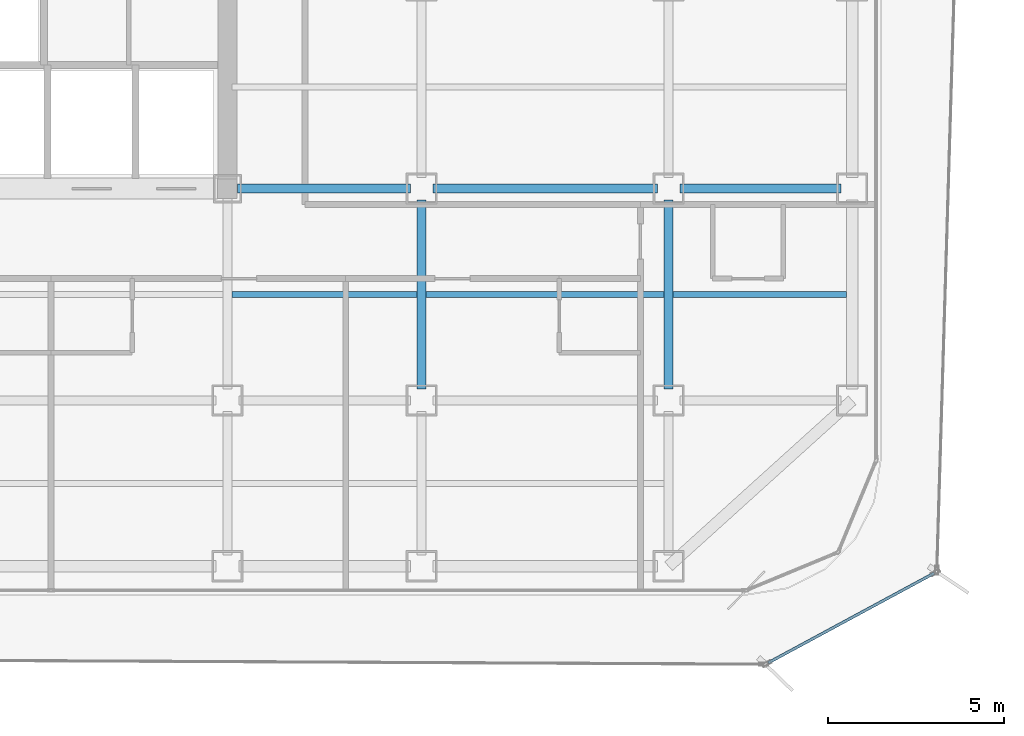
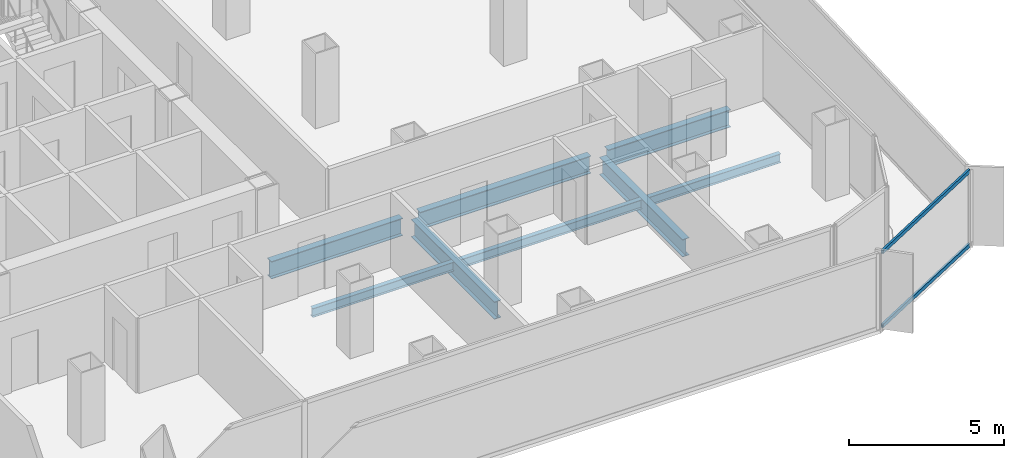
# One storey, part 7 of 21: 8 beams, 2 members, 1 element without a shape of its own.
"""IFC4 building model written with IfcOpenShell, lengths in metres."""

from ifc_helpers import new_model, si_unit, direction, frame, origin, origin_2d, place, context, subcontext, project, spatial, hollow_rectangle, i_section, extrude, source, transform, mapped, material, layer, layer_set, material_profile, profile_set, type_object, element, aggregate, save


model = new_model("IFC4")

# Units and contexts
model_context = context("Model", 3, precision=1e-05, world=origin(), true_north=direction((0.0, 1.0)))
body_context = subcontext(model_context, "Body", "Model", "MODEL_VIEW")
ifc_project = project(units=[si_unit("LENGTHUNIT", "METRE"), si_unit("AREAUNIT", "SQUARE_METRE"), si_unit("VOLUMEUNIT", "CUBIC_METRE"), si_unit("PLANEANGLEUNIT", "RADIAN"), si_unit("MASSUNIT", "GRAM", prefix="KILO")], contexts=[model_context])

# Site, building, storey
site_placement = place(None, origin())
site = spatial("IfcSite", under=ifc_project, at=site_placement, CompositionType="ELEMENT")
building_placement = place(site_placement, origin())
building = spatial("IfcBuilding", under=site, at=building_placement, Name="Kolveth Station Tower", CompositionType="ELEMENT")
storey_placement = place(building_placement, frame((0.0, 0.0, 92.699951171875)))
storey = spatial("IfcBuildingStorey", under=building, at=storey_placement, Name="L24", CompositionType="ELEMENT", Elevation=92.699951171875)

# Beams
ifc_material_1 = material(Name="Steel S355", Category="steel")
ifc_material_profile_1 = material_profile(ifc_material_1, i_section(OverallWidth=0.25390625, OverallDepth=0.68798828125, WebThickness=0.01318359375, FlangeThickness=0.02099609375, at=origin_2d()), Name="W690x152")
ifc_profile_set_1 = profile_set([ifc_material_profile_1], Name="Steel S355")
beam_type_1 = type_object("IfcBeamType", Name="Beam_B4", PredefinedType="BEAM", material=ifc_profile_set_1)
shared_shape_1 = source(origin(), body_context, "Body", "SweptSolid", [
    extrude(i_section(OverallWidth=0.25390625, OverallDepth=0.68798828125, WebThickness=0.01318359375, FlangeThickness=0.02099609375, at=origin_2d()), origin(), (0.0, 0.0, 1.0), 4.559814453125),
])
beam_1_placement = place(storey_placement, frame((41.320068359375, 11.5, -0.593994140625), z_axis=(1.0, 0.0, 0.0), x_axis=(0.0, 1.0, 0.0)))
element("IfcBeam", 1, at=beam_1_placement, inside=storey, type_object=beam_type_1, Name="L24 Primary Girder BM-L24-GY115-7", PredefinedType="BEAM", context=body_context, shape_type="MappedRepresentation", body=[
    mapped(shared_shape_1, transform((0.0, 0.0, 0.0), x_axis=(1.0, 0.0, 0.0), y_axis=(0.0, 1.0, 0.0), z_axis=(0.0, 0.0, 1.0), scale=1.0)),
])
shared_shape_2 = source(origin(), body_context, "Body", "SweptSolid", [
    extrude(i_section(OverallWidth=0.25390625, OverallDepth=0.68798828125, WebThickness=0.01318359375, FlangeThickness=0.02099609375, at=origin_2d()), origin(), (0.0, 0.0, 1.0), 6.35986328125),
])
beam_2_placement = place(storey_placement, frame((34.320068359375, 11.5, -0.593994140625), z_axis=(1.0, 0.0, 0.0), x_axis=(0.0, 1.0, 0.0)))
element("IfcBeam", 2, at=beam_2_placement, inside=storey, type_object=beam_type_1, Name="L24 Primary Girder BM-L24-GY115-6", PredefinedType="BEAM", context=body_context, shape_type="MappedRepresentation", body=[
    mapped(shared_shape_2, transform((0.0, 0.0, 0.0), x_axis=(1.0, 0.0, 0.0), y_axis=(0.0, 1.0, 0.0), z_axis=(0.0, 0.0, 1.0), scale=1.0)),
])
shared_shape_3 = source(origin(), body_context, "Body", "SweptSolid", [
    extrude(i_section(OverallWidth=0.25390625, OverallDepth=0.68798828125, WebThickness=0.01318359375, FlangeThickness=0.02099609375, at=origin_2d()), origin(), (0.0, 0.0, 1.0), 4.89990234375),
])
beam_3_placement = place(storey_placement, frame((28.780029296875, 11.5, -0.593994140625), z_axis=(1.0, 0.0, 0.0), x_axis=(0.0, 1.0, 0.0)))
element("IfcBeam", 3, at=beam_3_placement, inside=storey, type_object=beam_type_1, Name="L24 Primary Girder BM-L24-GY115-5", PredefinedType="BEAM", context=body_context, shape_type="MappedRepresentation", body=[
    mapped(shared_shape_3, transform((0.0, 0.0, 0.0), x_axis=(1.0, 0.0, 0.0), y_axis=(0.0, 1.0, 0.0), z_axis=(0.0, 0.0, 1.0), scale=1.0)),
])
shared_shape_4 = source(origin(), body_context, "Body", "SweptSolid", [
    extrude(i_section(OverallWidth=0.25390625, OverallDepth=0.68798828125, WebThickness=0.01318359375, FlangeThickness=0.02099609375, at=origin_2d()), origin(), (0.0, 0.0, 1.0), 5.35986328125),
])
for number, where, z_axis, x_axis, name in (
    (4, (34.0, 5.820068359375, -0.593994140625), (0.0, 1.0, 0.0), (-1.0, 0.0, 0.0), "L24 Primary Girder BM-L24-GX340-2"),
    (5, (41.0, 5.820068359375, -0.593994140625), (0.0, 1.0, 0.0), (-1.0, 0.0, 0.0), "L24 Primary Girder BM-L24-GX410-2"),
):
    element("IfcBeam", number, at=place(storey_placement, frame(where, z_axis=z_axis, x_axis=x_axis)), inside=storey, type_object=beam_type_1, Name=name, PredefinedType="BEAM", context=body_context, shape_type="MappedRepresentation", body=[
        mapped(shared_shape_4, transform((0.0, 0.0, 0.0), x_axis=(1.0, 0.0, 0.0), y_axis=(0.0, 1.0, 0.0), z_axis=(0.0, 0.0, 1.0), scale=1.0)),
    ])
ifc_material_profile_2 = material_profile(ifc_material_1, i_section(OverallWidth=0.1708984375, OverallDepth=0.35205078125, WebThickness=0.0068359375, FlangeThickness=0.009765625, at=origin_2d()), Name="W360x44")
ifc_profile_set_2 = profile_set([ifc_material_profile_2], Name="Steel S355")
beam_type_2 = type_object("IfcBeamType", Name="Beam_J2", PredefinedType="JOIST", material=ifc_profile_set_2)
shared_shape_5 = source(origin(), body_context, "Body", "SweptSolid", [
    extrude(i_section(OverallWidth=0.1708984375, OverallDepth=0.35205078125, WebThickness=0.0068359375, FlangeThickness=0.009765625, at=origin_2d()), origin(), (0.0, 0.0, 1.0), 4.9150390625),
])
beam_4_placement = place(storey_placement, frame((41.125, 8.5, -0.426025390625), z_axis=(1.0, 0.0, 0.0), x_axis=(0.0, 1.0, 0.0)))
element("IfcBeam", 6, at=beam_4_placement, inside=storey, type_object=beam_type_2, Name="L24 Secondary Joist JST-L24-7-2", PredefinedType="JOIST", context=body_context, shape_type="MappedRepresentation", body=[
    mapped(shared_shape_5, transform((0.0, 0.0, 0.0), x_axis=(1.0, 0.0, 0.0), y_axis=(0.0, 1.0, 0.0), z_axis=(0.0, 0.0, 1.0), scale=1.0)),
])
shared_shape_6 = source(origin(), body_context, "Body", "SweptSolid", [
    extrude(i_section(OverallWidth=0.1708984375, OverallDepth=0.35205078125, WebThickness=0.0068359375, FlangeThickness=0.009765625, at=origin_2d()), origin(), (0.0, 0.0, 1.0), 6.75),
])
beam_5_placement = place(storey_placement, frame((34.125, 8.5, -0.426025390625), z_axis=(1.0, 0.0, 0.0), x_axis=(0.0, 1.0, 0.0)))
element("IfcBeam", 7, at=beam_5_placement, inside=storey, type_object=beam_type_2, Name="L24 Secondary Joist JST-L24-6-2", PredefinedType="JOIST", context=body_context, shape_type="MappedRepresentation", body=[
    mapped(shared_shape_6, transform((0.0, 0.0, 0.0), x_axis=(1.0, 0.0, 0.0), y_axis=(0.0, 1.0, 0.0), z_axis=(0.0, 0.0, 1.0), scale=1.0)),
])
shared_shape_7 = source(origin(), body_context, "Body", "SweptSolid", [
    extrude(i_section(OverallWidth=0.1708984375, OverallDepth=0.35205078125, WebThickness=0.0068359375, FlangeThickness=0.009765625, at=origin_2d()), origin(), (0.0, 0.0, 1.0), 5.25),
])
beam_6_placement = place(storey_placement, frame((28.625, 8.5, -0.426025390625), z_axis=(1.0, 0.0, 0.0), x_axis=(0.0, 1.0, 0.0)))
element("IfcBeam", 8, at=beam_6_placement, inside=storey, type_object=beam_type_2, Name="L24 Secondary Joist JST-L24-5-2", PredefinedType="JOIST", context=body_context, shape_type="MappedRepresentation", body=[
    mapped(shared_shape_7, transform((0.0, 0.0, 0.0), x_axis=(1.0, 0.0, 0.0), y_axis=(0.0, 1.0, 0.0), z_axis=(0.0, 0.0, 1.0), scale=1.0)),
])

# Curtain wall, members
ifc_material_2 = material(Name="Black anodized aluminium 6063-T6 and dark solar glass", Category="aluminium")
ifc_layer = layer(ifc_material_2, 0.159912109375)
ifc_layer_set = layer_set([ifc_layer], Name="Black anodized aluminium 6063-T6 and dark solar glass")
curtain_wall_type = type_object("IfcCurtainWallType", Name="OUTER SKIN CW-OS", PredefinedType="NOTDEFINED", material=ifc_layer_set)
curtain_wall_placement = place(storey_placement, origin())
curtain_wall = element("IfcCurtainWall", 9, at=curtain_wall_placement, inside=storey, type_object=curtain_wall_type, Name="L24 Outer Ventilated Skin Curtain Wall 1", PredefinedType="NOTDEFINED")
ifc_material_3 = material(Name="Black anodized aluminium 6063-T6", Category="aluminium")
ifc_material_profile_3 = material_profile(ifc_material_3, hollow_rectangle(XDim=0.080078125, YDim=0.14990234375, WallThickness=0.0048828125, at=origin_2d()), Name="ALU-80x150x5")
ifc_profile_set_3 = profile_set([ifc_material_profile_3], Name="Black anodized aluminium 6063-T6")
member_type = type_object("IfcMemberType", Name="Transom_TR-OS", PredefinedType="USERDEFINED", material=ifc_profile_set_3)
shared_shape_8 = source(origin(), body_context, "Body", "SweptSolid", [
    extrude(hollow_rectangle(XDim=0.080078125, YDim=0.14990234375, WallThickness=0.0048828125, at=origin_2d()), origin(), (0.0, 0.0, 1.0), 5.341796875),
])
member_1_placement = place(storey_placement, frame((43.821533203125, -1.936279296875, 0.0400390625), z_axis=(0.879906926333, 0.475146083843, 0.0), x_axis=(-0.475146083843, 0.879906926333, 0.0)))
member_1 = element("IfcMember", 10, at=member_1_placement, type_object=member_type, Name="CW-OS transom 1.1", ObjectType="TRANSOM", PredefinedType="USERDEFINED", context=body_context, shape_type="MappedRepresentation", body=[
    mapped(shared_shape_8, transform((0.0, 0.0, 0.0), x_axis=(1.0, 0.0, 0.0), y_axis=(0.0, 1.0, 0.0), z_axis=(0.0, 0.0, 1.0), scale=1.0)),
])
member_2_placement = place(storey_placement, frame((43.821533203125, -1.936279296875, 2.949951171875), z_axis=(0.879906926333, 0.475146083843, 0.0), x_axis=(-0.475146083843, 0.879906926333, 0.0)))
member_2 = element("IfcMember", 11, at=member_2_placement, type_object=member_type, Name="CW-OS transom 1.2", ObjectType="TRANSOM", PredefinedType="USERDEFINED", context=body_context, shape_type="MappedRepresentation", body=[
    mapped(shared_shape_8, transform((0.0, 0.0, 0.0), x_axis=(1.0, 0.0, 0.0), y_axis=(0.0, 1.0, 0.0), z_axis=(0.0, 0.0, 1.0), scale=1.0)),
])
aggregate(curtain_wall, [member_1, member_2])

save(model, "model.ifc")
